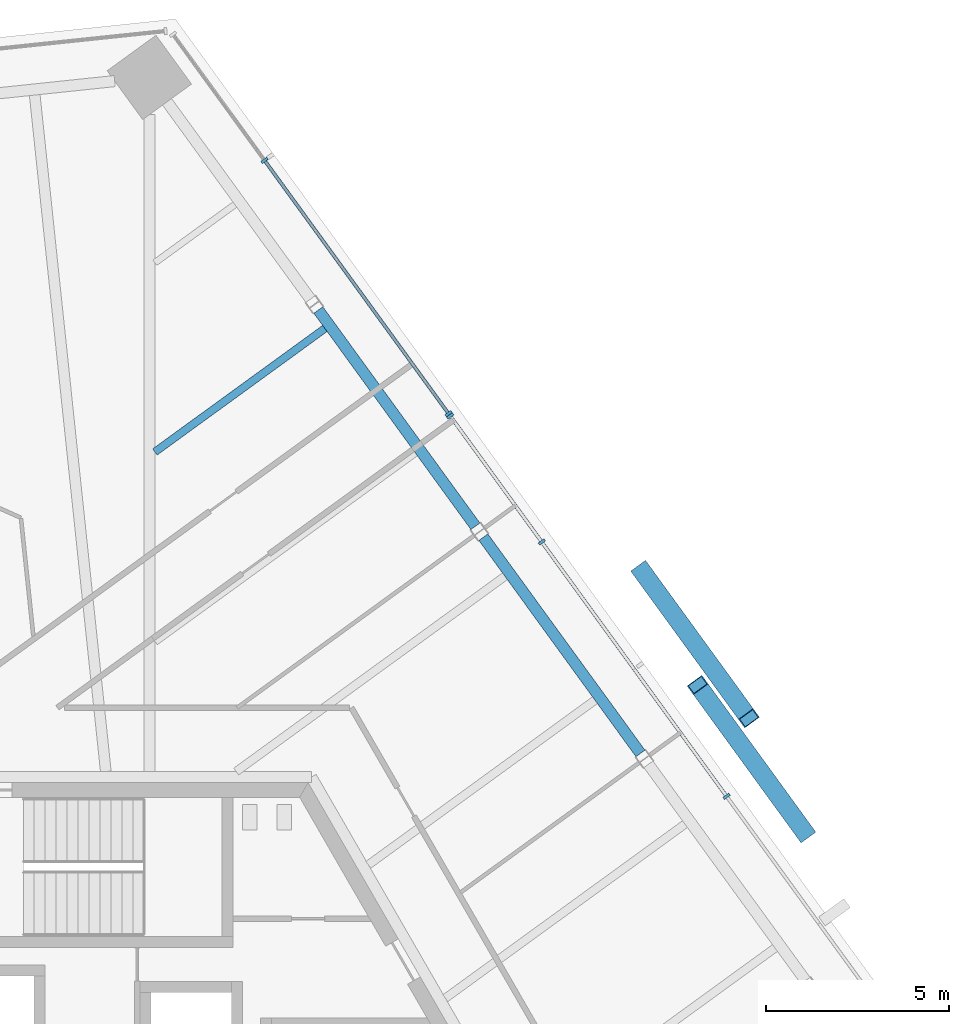
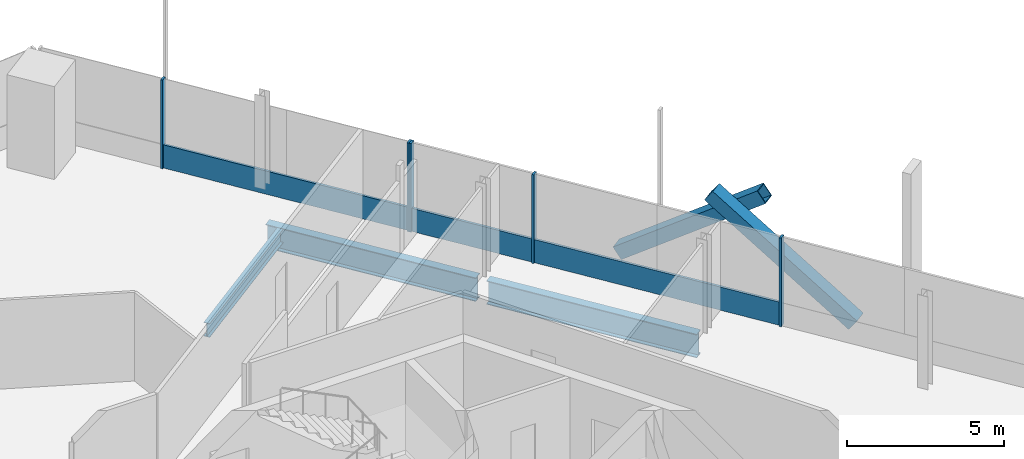
# One storey, part 8 of 20: 10 members, 3 beams, 2 elements without a shape of their own.
"""IFC4 building model written with IfcOpenShell, lengths in metres."""

from ifc_helpers import new_model, si_unit, direction, frame, origin, origin_2d, place, context, subcontext, project, spatial, rectangle, hollow_rectangle, i_section, extrude, source, transform, mapped, material, material_profile, profile_set, type_object, element, aggregate, save


model = new_model("IFC4")

# Units and contexts
model_context = context("Model", 3, precision=1e-05, world=origin(), true_north=direction((0.0, 1.0)))
body_context = subcontext(model_context, "Body", "Model", "MODEL_VIEW")
ifc_project = project(units=[si_unit("LENGTHUNIT", "METRE"), si_unit("AREAUNIT", "SQUARE_METRE"), si_unit("VOLUMEUNIT", "CUBIC_METRE"), si_unit("PLANEANGLEUNIT", "RADIAN"), si_unit("MASSUNIT", "GRAM", prefix="KILO")], contexts=[model_context])

# Site, building, storey
site_placement = place(None, origin())
site = spatial("IfcSite", under=ifc_project, at=site_placement, CompositionType="ELEMENT")
building_placement = place(site_placement, origin())
building = spatial("IfcBuilding", under=site, at=building_placement, Name="Triune Harvest Tower", CompositionType="ELEMENT")
storey_placement = place(building_placement, frame((0.0, 0.0, 234.10009765625)))
storey = spatial("IfcBuildingStorey", under=building, at=storey_placement, Name="L61", CompositionType="ELEMENT", Elevation=234.10009765625)

# Beams
ifc_material_1 = material(Name="Steel ASTM A992 Gr 50", Category="steel")
ifc_material_profile_1 = material_profile(ifc_material_1, i_section(OverallWidth=0.3046875, OverallDepth=0.914306640625, WebThickness=0.0166015625, FlangeThickness=0.02587890625, at=origin_2d()), Name="W36x160")
ifc_profile_set_1 = profile_set([ifc_material_profile_1], Name="Steel ASTM A992 Gr 50")
beam_type_1 = type_object("IfcBeamType", Name="SB-1 Spandrel beam W36x160", PredefinedType="SPANDREL", material=ifc_profile_set_1)
shared_shape_1 = source(origin(), body_context, "Body", "SweptSolid", [
    extrude(i_section(OverallWidth=0.3046875, OverallDepth=0.914306640625, WebThickness=0.0166015625, FlangeThickness=0.02587890625, at=origin_2d()), origin(), (0.0, 0.0, 1.0), 7.31103515625),
])
for number, where, z_axis, x_axis, name in (
    (1, (15.091552734375, 11.1923828125, -0.6171875), (-0.587786436325, 0.809016134124, 0.0), (-0.809016134124, -0.587786436325, 0.0), "beam/L61/SB4"),
    (2, (10.57763671875, 17.405029296875, -0.6171875), (-0.587786436325, 0.809016134124, 0.0), (-0.809016134124, -0.587786436325, 0.0), "beam/L61/SB5"),
):
    element("IfcBeam", number, at=place(storey_placement, frame(where, z_axis=z_axis, x_axis=x_axis)), inside=storey, type_object=beam_type_1, Name=name, PredefinedType="SPANDREL", context=body_context, shape_type="MappedRepresentation", body=[
        mapped(shared_shape_1, transform((0.0, 0.0, 0.0), scale=1.0)),
    ])
ifc_material_2 = material(Name="Steel ASTM A992 Gr 50", Category="steel")
ifc_material_profile_2 = material_profile(ifc_material_2, i_section(OverallWidth=0.2099609375, OverallDepth=0.535888671875, WebThickness=0.010986328125, FlangeThickness=0.017333984375, at=origin_2d()), Name="W21x68")
ifc_profile_set_2 = profile_set([ifc_material_profile_2], Name="Steel ASTM A992 Gr 50")
beam_type_2 = type_object("IfcBeamType", Name="JT-2 Floor joist W21x68", PredefinedType="JOIST", material=ifc_profile_set_2)
shared_shape_2 = source(origin(), body_context, "Body", "SweptSolid", [
    extrude(i_section(OverallWidth=0.2099609375, OverallDepth=0.535888671875, WebThickness=0.010986328125, FlangeThickness=0.017333984375, at=origin_2d()), origin(), (0.0, 0.0, 1.0), 5.745849609375),
])
beam_placement = place(storey_placement, frame((6.458984375, 22.814453125, -0.427978515625), z_axis=(-0.809024464979, -0.587774969751, 0.0), x_axis=(0.587774969751, -0.809024464979, 0.0)))
element("IfcBeam", 3, at=beam_placement, inside=storey, type_object=beam_type_2, Name="beam/L61/JT9", PredefinedType="JOIST", context=body_context, shape_type="MappedRepresentation", body=[
    mapped(shared_shape_2, transform((0.0, 0.0, 0.0), scale=1.0)),
])

# Members
ifc_material_3 = material(Name="Steel ASTM A572 Gr 50", Category="steel")
ifc_material_profile_3 = material_profile(ifc_material_3, hollow_rectangle(XDim=0.5, YDim=0.5, WallThickness=0.030029296875, at=origin_2d()), Name="Box 500x500x30")
ifc_profile_set_3 = profile_set([ifc_material_profile_3], Name="Steel ASTM A572 Gr 50")
member_type_1 = type_object("IfcMemberType", Name="BR-3 Brace Box 500x500x30", PredefinedType="BRACE", material=ifc_profile_set_3)
shared_shape_3 = source(origin(), body_context, "Body", "SweptSolid", [
    extrude(hollow_rectangle(XDim=0.5, YDim=0.5, WallThickness=0.030029296875, at=origin_2d()), origin(), (0.0, 0.0, 1.0), 6.170654296875),
])
for number, where, z_axis, x_axis, name in (
    (4, (19.599609375, 9.01171875, 0.0), (-0.477387446173, 0.657090229242, 0.583381227732), (-0.809026684069, -0.587771915341, 0.0), "brace/B6-F1/d1/5"),
    (5, (15.11279296875, 16.208251953125, 0.0), (0.477387446173, -0.657090229242, 0.583381227732), (0.809026684069, 0.587771915341, 0.0), "brace/B6-F1/d2/5"),
):
    element("IfcMember", number, at=place(storey_placement, frame(where, z_axis=z_axis, x_axis=x_axis)), inside=storey, type_object=member_type_1, Name=name, PredefinedType="BRACE", context=body_context, shape_type="MappedRepresentation", body=[
        mapped(shared_shape_3, transform((0.0, 0.0, 0.0), scale=1.0)),
    ])

# Curtain wall, members
ifc_material_4 = material(Name="Aluminium bronze anodised", Category="aluminium")
curtain_wall_type_1 = type_object("IfcCurtainWallType", Name="CW-7 Tower stick curtain wall with insulated spandrel infill", PredefinedType="NOTDEFINED", material=ifc_material_4)
curtain_wall_1_placement = place(storey_placement, origin())
curtain_wall_1 = element("IfcCurtainWall", 6, at=curtain_wall_1_placement, inside=storey, type_object=curtain_wall_type_1, Name="CW-7 B6-F1 L61 run 1001")
ifc_material_5 = material(Name="Aluminium bronze anodised", Category="aluminium")
ifc_material_profile_4 = material_profile(ifc_material_5, rectangle(XDim=0.199951171875, YDim=0.074951171875, at=origin_2d()), Name="MU-1 mullion 75 x 200")
ifc_profile_set_4 = profile_set([ifc_material_profile_4], Name="Aluminium bronze anodised")
member_type_2 = type_object("IfcMemberType", Name="MU-1 mullion 75 x 200", PredefinedType="MULLION", material=ifc_profile_set_4)
shared_shape_4 = source(origin(), body_context, "Body", "SweptSolid", [
    extrude(rectangle(XDim=0.199951171875, YDim=0.074951171875, at=origin_2d()), origin(), (0.0, 0.0, 1.0), 3.43994140625),
])
member_1_placement = place(storey_placement, frame((17.447021484375, 10.018310546875, 0.0), z_axis=(0.0, 0.0, 1.0), x_axis=(-0.809017173042, -0.587785006378, 0.0)))
member_1 = element("IfcMember", 7, at=member_1_placement, type_object=member_type_2, Name="CW-7 mullion B6-F1 1001.3", PredefinedType="MULLION", context=body_context, shape_type="MappedRepresentation", body=[
    mapped(shared_shape_4, transform((0.0, 0.0, 0.0), scale=1.0)),
])
member_2_placement = place(storey_placement, frame((12.39208984375, 16.975830078125, 0.0), z_axis=(0.0, 0.0, 1.0), x_axis=(-0.809017173042, -0.587785006378, 0.0)))
member_2 = element("IfcMember", 8, at=member_2_placement, type_object=member_type_2, Name="CW-7 mullion B6-F1 1001.5", PredefinedType="MULLION", context=body_context, shape_type="MappedRepresentation", body=[
    mapped(shared_shape_4, transform((0.0, 0.0, 0.0), scale=1.0)),
])
member_3_placement = place(storey_placement, frame((9.886474609375, 20.42431640625, 0.0), z_axis=(0.0, 0.0, 1.0), x_axis=(-0.809017173042, -0.587785006378, 0.0)))
member_3 = element("IfcMember", 9, at=member_3_placement, type_object=member_type_2, Name="CW-7 mullion B6-F1 1001.6", PredefinedType="MULLION", context=body_context, shape_type="MappedRepresentation", body=[
    mapped(shared_shape_4, transform((0.0, 0.0, 0.0), scale=1.0)),
])

ifc_material_6 = material(Name="Aluminium bronze anodised", Category="aluminium")
curtain_wall_type_2 = type_object("IfcCurtainWallType", Name="CW-1 Tower stick curtain wall", PredefinedType="NOTDEFINED", material=ifc_material_6)
curtain_wall_2_placement = place(storey_placement, origin())
curtain_wall_2 = element("IfcCurtainWall", 10, at=curtain_wall_2_placement, inside=storey, type_object=curtain_wall_type_2, Name="CW-1 B6-F1 L61 run 2001")
member_4_placement = place(storey_placement, frame((9.842529296875, 20.485107421875, 0.0), z_axis=(0.0, 0.0, 1.0), x_axis=(-0.809016286364, -0.587786226785, 0.0)))
member_4 = element("IfcMember", 11, at=member_4_placement, type_object=member_type_2, Name="CW-1 mullion B6-F1 2001.1", PredefinedType="MULLION", context=body_context, shape_type="MappedRepresentation", body=[
    mapped(shared_shape_4, transform((0.0, 0.0, 0.0), scale=1.0)),
])
member_5_placement = place(storey_placement, frame((4.8095703125, 27.412353515625, 0.0), z_axis=(0.0, 0.0, 1.0), x_axis=(-0.809016286364, -0.587786226785, 0.0)))
member_5 = element("IfcMember", 12, at=member_5_placement, type_object=member_type_2, Name="CW-1 mullion B6-F1 2001.3", PredefinedType="MULLION", context=body_context, shape_type="MappedRepresentation", body=[
    mapped(shared_shape_4, transform((0.0, 0.0, 0.0), scale=1.0)),
])
ifc_material_7 = material(Name="Aluminium bronze anodised", Category="aluminium")
ifc_material_profile_5 = material_profile(ifc_material_7, rectangle(XDim=0.090087890625, YDim=0.89990234375, at=origin_2d()), Name="TR-1 transom 90 x 900")
ifc_profile_set_5 = profile_set([ifc_material_profile_5], Name="Aluminium bronze anodised")
member_type_3 = type_object("IfcMemberType", Name="TR-1 transom 90 x 900", PredefinedType="USERDEFINED", material=ifc_profile_set_5)
shared_shape_5 = source(origin(), body_context, "Body", "SweptSolid", [
    extrude(rectangle(XDim=0.090087890625, YDim=0.89990234375, at=origin_2d()), origin(), (0.0, 0.0, 1.0), 8.4873046875),
])
member_6_placement = place(storey_placement, frame((9.8203125, 20.515380859375, 0.449951171875), z_axis=(-0.587785090378, 0.809017112013, 0.0), x_axis=(-0.809017112013, -0.587785090378, 0.0)))
member_6 = element("IfcMember", 13, at=member_6_placement, type_object=member_type_3, Name="CW-1 transom B6-F1 2001.1", ObjectType="TRANSOM", PredefinedType="USERDEFINED", context=body_context, shape_type="MappedRepresentation", body=[
    mapped(shared_shape_5, transform((0.0, 0.0, 0.0), scale=1.0)),
])
aggregate(curtain_wall_2, [member_4, member_5, member_6])

# Member
shared_shape_6 = source(origin(), body_context, "Body", "SweptSolid", [
    extrude(rectangle(XDim=0.090087890625, YDim=0.89990234375, at=origin_2d()), origin(), (0.0, 0.0, 1.0), 8.52490234375),
])
member_7_placement = place(storey_placement, frame((17.4248046875, 10.048583984375, 0.449951171875), z_axis=(-0.587769761903, 0.809028248575, 0.0), x_axis=(-0.809028248575, -0.587769761903, 0.0)))
member_7 = element("IfcMember", 14, at=member_7_placement, type_object=member_type_3, Name="CW-7 transom B6-F1 1001.2", ObjectType="TRANSOM", PredefinedType="USERDEFINED", context=body_context, shape_type="MappedRepresentation", body=[
    mapped(shared_shape_6, transform((0.0, 0.0, 0.0), scale=1.0)),
])

shared_shape_7 = source(origin(), body_context, "Body", "SweptSolid", [
    extrude(rectangle(XDim=0.090087890625, YDim=0.89990234375, at=origin_2d()), origin(), (0.0, 0.0, 1.0), 4.187255859375),
])
member_8_placement = place(storey_placement, frame((12.369873046875, 17.00634765625, 0.449951171875), z_axis=(-0.587766014616, 0.809030971016, 0.0), x_axis=(-0.809030971016, -0.587766014616, 0.0)))
member_8 = element("IfcMember", 15, at=member_8_placement, type_object=member_type_3, Name="CW-7 transom B6-F1 1001.3", ObjectType="TRANSOM", PredefinedType="USERDEFINED", context=body_context, shape_type="MappedRepresentation", body=[
    mapped(shared_shape_7, transform((0.0, 0.0, 0.0), scale=1.0)),
])

aggregate(curtain_wall_1, [member_1, member_2, member_3, member_7, member_8])

save(model, "model.ifc")
